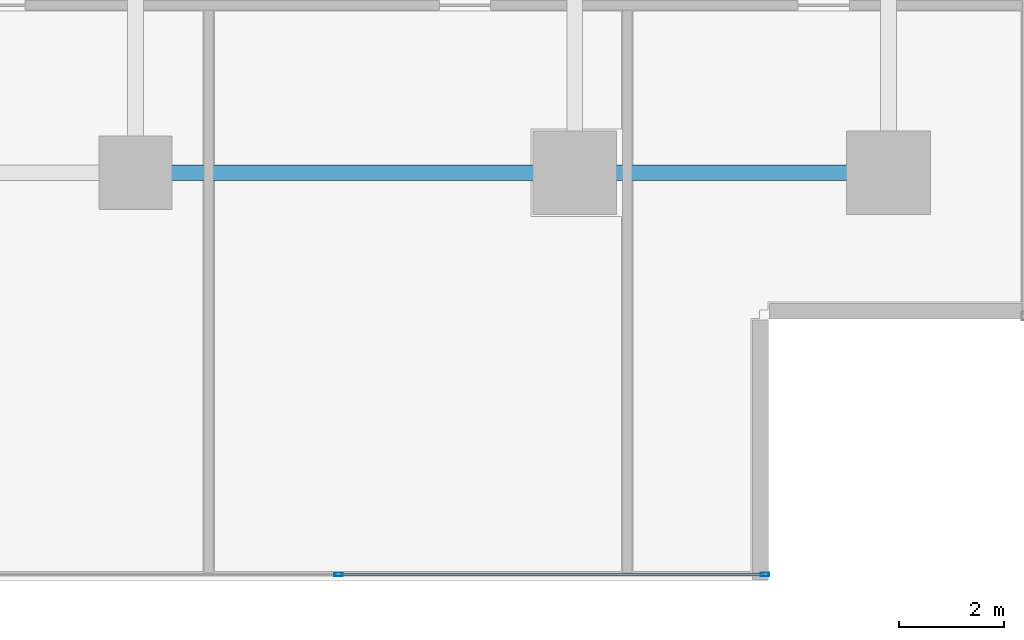
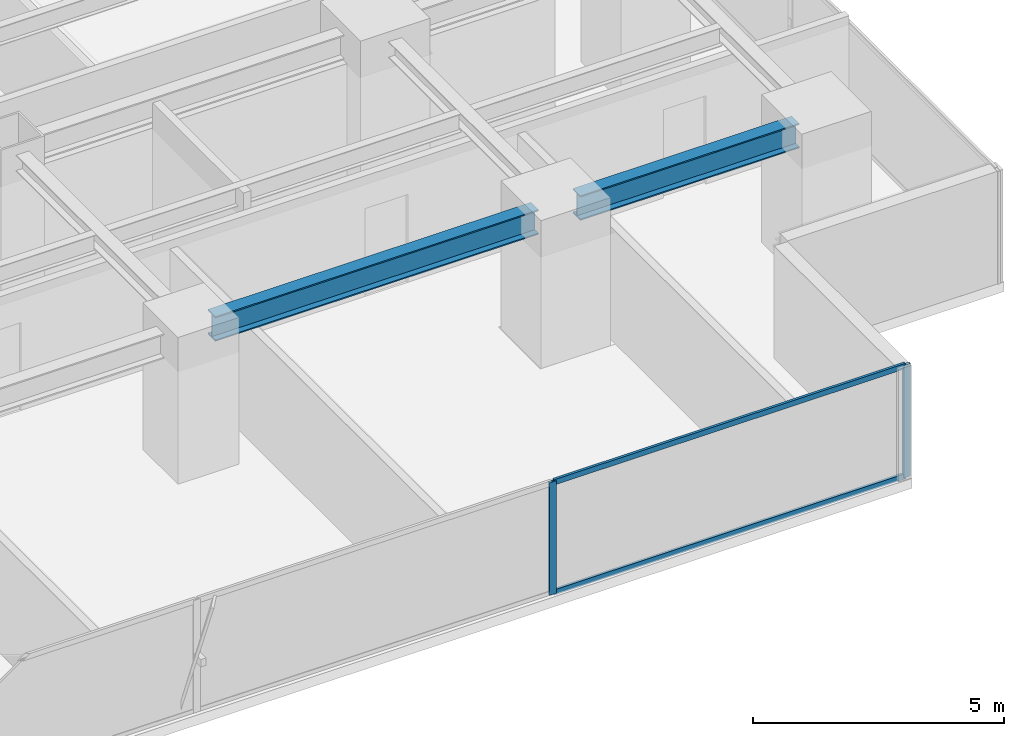
# One storey, part 12 of 36: 4 members, 2 beams, 1 element without a shape of its own.
"""IFC4 building model written with IfcOpenShell, lengths in metres."""

from ifc_helpers import new_model, si_unit, direction, frame, origin, origin_2d, place, context, subcontext, project, spatial, hollow_rectangle, i_section, extrude, source, transform, mapped, material, layer, layer_set, material_profile, profile_set, type_object, element, aggregate, save


model = new_model("IFC4")

# Units and contexts
model_context = context("Model", 3, precision=1e-05, world=origin(), true_north=direction((0.0, 1.0)))
body_context = subcontext(model_context, "Body", "Model", "MODEL_VIEW")
ifc_project = project(units=[si_unit("LENGTHUNIT", "METRE"), si_unit("AREAUNIT", "SQUARE_METRE"), si_unit("VOLUMEUNIT", "CUBIC_METRE"), si_unit("PLANEANGLEUNIT", "RADIAN"), si_unit("MASSUNIT", "GRAM", prefix="KILO")], contexts=[model_context])

# Site, building, storey
site_placement = place(None, origin())
site = spatial("IfcSite", under=ifc_project, at=site_placement, CompositionType="ELEMENT")
building_placement = place(site_placement, origin())
building = spatial("IfcBuilding", under=site, at=building_placement, Name="Sumidabori Civic Tower", CompositionType="ELEMENT")
storey_placement = place(building_placement, frame((0.0, 0.0, 113.60009765625)))
storey = spatial("IfcBuildingStorey", under=building, at=storey_placement, Name="L29", CompositionType="ELEMENT", Elevation=113.60009765625)

# Beams
ifc_material_1 = material(Name="Steel SN490", Category="steel")
ifc_material_profile_1 = material_profile(ifc_material_1, i_section(OverallWidth=0.300048828125, OverallDepth=0.60009765625, WebThickness=0.015380859375, FlangeThickness=0.030029296875, at=origin_2d()), Name="HE 600 B")
ifc_profile_set_1 = profile_set([ifc_material_profile_1], Name="Steel SN490")
beam_type = type_object("IfcBeamType", Name="BM-GIRD-600", PredefinedType="BEAM", material=ifc_profile_set_1)
shared_shape_1 = source(origin(), body_context, "Body", "SweptSolid", [
    extrude(i_section(OverallWidth=0.300048828125, OverallDepth=0.60009765625, WebThickness=0.015380859375, FlangeThickness=0.030029296875, at=origin_2d()), origin(), (0.0, 0.0, 1.0), 5.0400390625),
])
beam_1_placement = place(storey_placement, frame((17.280029296875, -18.0, 3.059814453125), z_axis=(1.0, 0.0, 0.0), x_axis=(0.0, 1.0, 0.0)))
element("IfcBeam", 1, at=beam_1_placement, inside=storey, type_object=beam_type, Name="Primary Girder L29 GX-06", PredefinedType="BEAM", context=body_context, shape_type="MappedRepresentation", body=[
    mapped(shared_shape_1, transform((0.0, 0.0, 0.0), x_axis=(1.0, 0.0, 0.0), y_axis=(0.0, 1.0, 0.0), z_axis=(0.0, 0.0, 1.0), scale=1.0)),
])
shared_shape_2 = source(origin(), body_context, "Body", "SweptSolid", [
    extrude(i_section(OverallWidth=0.300048828125, OverallDepth=0.60009765625, WebThickness=0.015380859375, FlangeThickness=0.030029296875, at=origin_2d()), origin(), (0.0, 0.0, 1.0), 7.440185546875),
])
beam_2_placement = place(storey_placement, frame((8.8798828125, -18.0, 3.059814453125), z_axis=(1.0, 0.0, 0.0), x_axis=(0.0, 1.0, 0.0)))
element("IfcBeam", 2, at=beam_2_placement, inside=storey, type_object=beam_type, Name="Primary Girder L29 GX-05", PredefinedType="BEAM", context=body_context, shape_type="MappedRepresentation", body=[
    mapped(shared_shape_2, transform((0.0, 0.0, 0.0), x_axis=(1.0, 0.0, 0.0), y_axis=(0.0, 1.0, 0.0), z_axis=(0.0, 0.0, 1.0), scale=1.0)),
])

# Curtain wall, members
ifc_material_2 = material(Name="Anodised Bronze Aluminium AW-6063-T6", Category="aluminium")
ifc_layer = layer(ifc_material_2, 0.179931640625, Name="Anodised Bronze Aluminium AW-6063-T6")
ifc_layer_set = layer_set([ifc_layer], Name="Anodised Bronze Aluminium AW-6063-T6")
curtain_wall_type = type_object("IfcCurtainWallType", Name="CW-SYS-3", PredefinedType="NOTDEFINED", material=ifc_layer_set)
curtain_wall_placement = place(storey_placement, origin())
curtain_wall = element("IfcCurtainWall", 3, at=curtain_wall_placement, inside=storey, type_object=curtain_wall_type, Name="Curtain Wall CW:L29:R01", PredefinedType="NOTDEFINED")
ifc_material_profile_2 = material_profile(ifc_material_2, hollow_rectangle(XDim=0.06494140625, YDim=0.159912109375, WallThickness=0.0048828125, at=origin_2d()), Name="ALU MULLION 160x65")
ifc_profile_set_2 = profile_set([ifc_material_profile_2], Name="Anodised Bronze Aluminium AW-6063-T6")
member_type_1 = type_object("IfcMemberType", Name="CW-MUL-160", PredefinedType="MULLION", material=ifc_profile_set_2)
shared_shape_3 = source(origin(), body_context, "Body", "SweptSolid", [
    extrude(hollow_rectangle(XDim=0.06494140625, YDim=0.159912109375, WallThickness=0.0048828125, at=origin_2d()), origin(), (0.0, 0.0, 1.0), 2.739990234375),
])
member_1_placement = place(storey_placement, frame((12.281982421875, -25.679931640625, 0.0), z_axis=(0.0, 0.0, 1.0), x_axis=(0.0, 1.0, 0.0)))
member_1 = element("IfcMember", 4, at=member_1_placement, type_object=member_type_1, Name="CW-3 mullion 5", PredefinedType="MULLION", context=body_context, shape_type="MappedRepresentation", body=[
    mapped(shared_shape_3, transform((0.0, 0.0, 0.0), x_axis=(1.0, 0.0, 0.0), y_axis=(0.0, 1.0, 0.0), z_axis=(0.0, 0.0, 1.0), scale=1.0)),
])
member_2_placement = place(storey_placement, frame((20.4375, -25.679931640625, 0.0), z_axis=(0.0, 0.0, 1.0), x_axis=(0.0, 1.0, 0.0)))
member_2 = element("IfcMember", 5, at=member_2_placement, type_object=member_type_1, Name="CW-3 mullion 6", PredefinedType="MULLION", context=body_context, shape_type="MappedRepresentation", body=[
    mapped(shared_shape_3, transform((0.0, 0.0, 0.0), x_axis=(1.0, 0.0, 0.0), y_axis=(0.0, 1.0, 0.0), z_axis=(0.0, 0.0, 1.0), scale=1.0)),
])
ifc_material_profile_3 = material_profile(ifc_material_2, hollow_rectangle(XDim=0.06005859375, YDim=0.1298828125, WallThickness=0.0048828125, at=origin_2d()), Name="ALU TRANSOM 130x60")
ifc_profile_set_3 = profile_set([ifc_material_profile_3], Name="Anodised Bronze Aluminium AW-6063-T6")
member_type_2 = type_object("IfcMemberType", Name="CW-TRN-130", PredefinedType="USERDEFINED", material=ifc_profile_set_3)
shared_shape_4 = source(origin(), body_context, "Body", "SweptSolid", [
    extrude(hollow_rectangle(XDim=0.06005859375, YDim=0.1298828125, WallThickness=0.0048828125, at=origin_2d()), origin(), (0.0, 0.0, 1.0), 8.090576171875),
])
member_3_placement = place(storey_placement, frame((12.314453125, -25.679931640625, 0.02978515625), z_axis=(1.0, 0.0, 0.0), x_axis=(0.0, 1.0, 0.0)))
member_3 = element("IfcMember", 6, at=member_3_placement, type_object=member_type_2, Name="CW-3 transom 5.1", ObjectType="TRANSOM", PredefinedType="USERDEFINED", context=body_context, shape_type="MappedRepresentation", body=[
    mapped(shared_shape_4, transform((0.0, 0.0, 0.0), x_axis=(1.0, 0.0, 0.0), y_axis=(0.0, 1.0, 0.0), z_axis=(0.0, 0.0, 1.0), scale=1.0)),
])
member_4_placement = place(storey_placement, frame((12.314453125, -25.679931640625, 2.7099609375), z_axis=(1.0, 0.0, 0.0), x_axis=(0.0, 1.0, 0.0)))
member_4 = element("IfcMember", 7, at=member_4_placement, type_object=member_type_2, Name="CW-3 transom 5.2", ObjectType="TRANSOM", PredefinedType="USERDEFINED", context=body_context, shape_type="MappedRepresentation", body=[
    mapped(shared_shape_4, transform((0.0, 0.0, 0.0), x_axis=(1.0, 0.0, 0.0), y_axis=(0.0, 1.0, 0.0), z_axis=(0.0, 0.0, 1.0), scale=1.0)),
])
aggregate(curtain_wall, [member_1, member_2, member_3, member_4])

save(model, "model.ifc")
